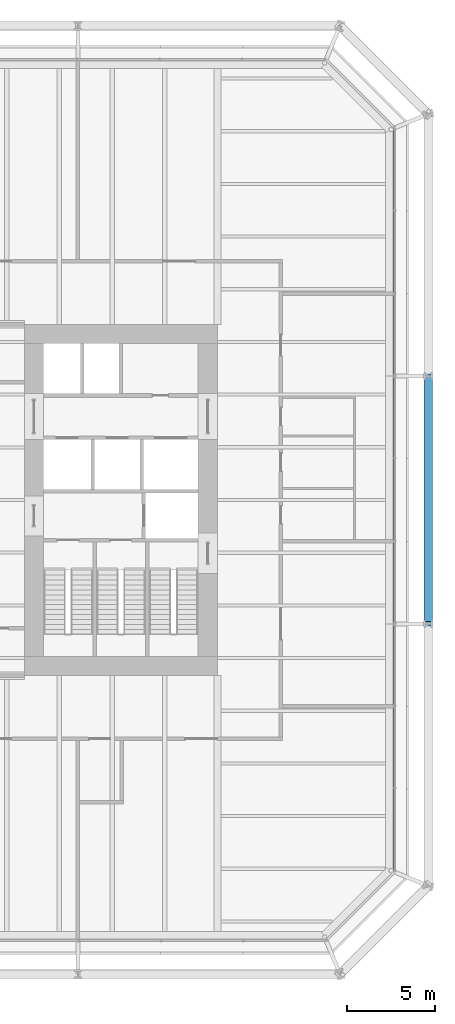
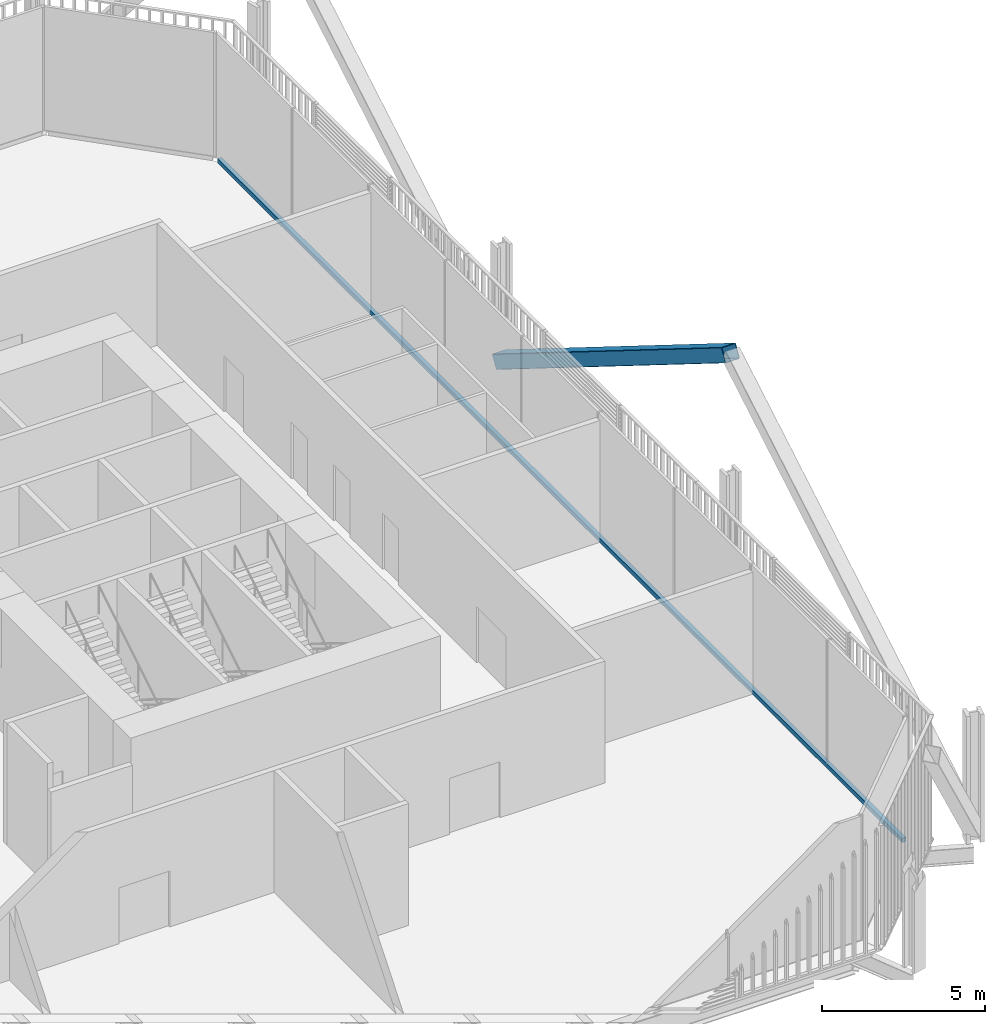
# One storey, part 10 of 22: 2 members, 1 element without a shape of its own.
"""IFC4 building model written with IfcOpenShell, lengths in metres."""

from ifc_helpers import new_model, si_unit, direction, frame, origin, origin_2d, place, context, subcontext, project, spatial, rectangle, hollow_rectangle, extrude, material, layer, layer_set, material_profile, profile_set, type_object, element, aggregate, save


model = new_model("IFC4")

# Units and contexts
model_context = context("Model", 3, precision=1e-05, world=origin(), true_north=direction((0.0, 1.0)))
body_context = subcontext(model_context, "Body", "Model", "MODEL_VIEW")
ifc_project = project(units=[si_unit("LENGTHUNIT", "METRE"), si_unit("AREAUNIT", "SQUARE_METRE"), si_unit("VOLUMEUNIT", "CUBIC_METRE"), si_unit("PLANEANGLEUNIT", "RADIAN"), si_unit("MASSUNIT", "GRAM", prefix="KILO")], contexts=[model_context])

# Site, building, storey
site_placement = place(None, origin())
site = spatial("IfcSite", under=ifc_project, at=site_placement, CompositionType="ELEMENT")
building_placement = place(site_placement, origin())
building = spatial("IfcBuilding", under=site, at=building_placement, Name="Millrace Tower", CompositionType="ELEMENT")
storey_placement = place(building_placement, frame((0.0, 0.0, 44.89990234375)))
storey = spatial("IfcBuildingStorey", under=building, at=storey_placement, Name="L10", CompositionType="ELEMENT", Elevation=44.89990234375)

# Curtain wall, member
ifc_material_1 = material(Name="Aluminium and glass", Category="aluminium")
ifc_layer = layer(ifc_material_1, 0.14990234375)
ifc_layer_set = layer_set([ifc_layer], Name="Aluminium and glass")
curtain_wall_type = type_object("IfcCurtainWallType", Name="CW-2 data hall insulated curtain wall", PredefinedType="NOTDEFINED", material=ifc_layer_set)
curtain_wall_placement = place(storey_placement, origin())
curtain_wall = element("IfcCurtainWall", 1, at=curtain_wall_placement, inside=storey, type_object=curtain_wall_type, Name="Curtain wall A-F04 L10", PredefinedType="NOTDEFINED")
ifc_material_2 = material(Name="Aluminium", Category="aluminium")
ifc_material_profile_1 = material_profile(ifc_material_2, rectangle(XDim=0.14990234375, YDim=0.159912109375, at=origin_2d()))
ifc_profile_set_1 = profile_set([ifc_material_profile_1], Name="Aluminium")
member_type_1 = type_object("IfcMemberType", Name="CW-2 data hall insulated curtain wall transom", PredefinedType="USERDEFINED", material=ifc_profile_set_1)
member_1_placement = place(storey_placement, frame((25.074951171875, -21.050048828125, 0.080078125), z_axis=(0.0, 1.0, 0.0), x_axis=(-1.0, 0.0, 0.0)))
member_1 = element("IfcMember", 2, at=member_1_placement, type_object=member_type_1, Name="CW2 transom A-F04.1", ObjectType="TRANSOM", PredefinedType="USERDEFINED", context=body_context, shape_type="SweptSolid", body=[
    extrude(rectangle(XDim=0.14990234375, YDim=0.159912109375, at=origin_2d()), origin(), (0.0, 0.0, 1.0), 42.10009765625),
])
aggregate(curtain_wall, [member_1])

# Member
ifc_material_3 = material(Name="Steel ASTM A500 Grade C", Category="steel")
ifc_material_profile_2 = material_profile(ifc_material_3, hollow_rectangle(XDim=0.508056640625, YDim=0.508056640625, WallThickness=0.01904296875, InnerFilletRadius=0.009521484375, OuterFilletRadius=0.028564453125, at=origin_2d()))
ifc_profile_set_2 = profile_set([ifc_material_profile_2], Name="Steel ASTM A500 Grade C")
member_type_2 = type_object("IfcMemberType", Name="Exoskeleton brace HSS20x20x3/4", PredefinedType="BRACE", material=ifc_profile_set_2)
member_2_placement = place(storey_placement, frame((27.0, 7.050048828125, 0.400146484375), z_axis=(0.0, -0.848336468551, 0.529457492276), x_axis=(1.0, 0.0, 0.0)))
element("IfcMember", 3, at=member_2_placement, inside=storey, type_object=member_type_2, Name="BRC-A-L10-07", PredefinedType="BRACE", context=body_context, shape_type="SweptSolid", body=[
    extrude(hollow_rectangle(XDim=0.508056640625, YDim=0.508056640625, WallThickness=0.01904296875, InnerFilletRadius=0.009521484375, OuterFilletRadius=0.028564453125, at=origin_2d()), origin(), (0.0, 0.0, 1.0), 16.620849609375),
])

save(model, "model.ifc")
